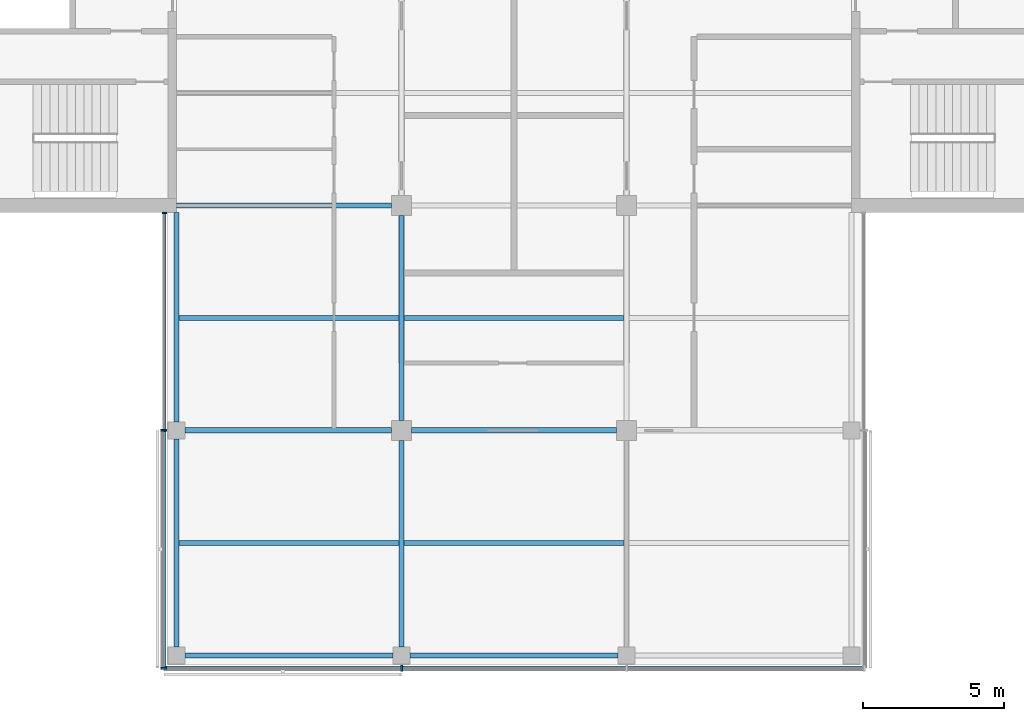
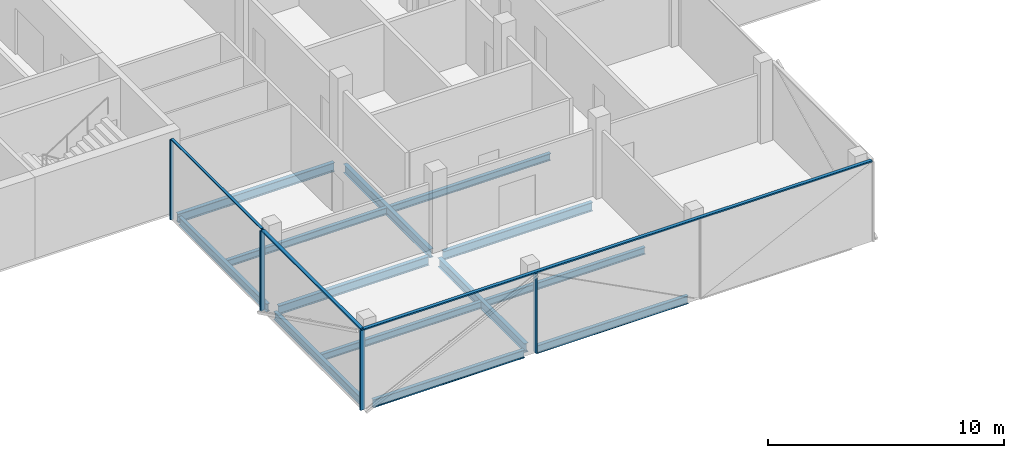
# One storey, part 2 of 16: 13 beams, 8 members, 3 elements without a shape of their own.
"""IFC4 building model written with IfcOpenShell, lengths in metres."""

from ifc_helpers import new_model, si_unit, direction, frame, origin, origin_2d, place, context, subcontext, project, spatial, rectangle, i_section, extrude, material, material_profile, profile_set, type_object, element, aggregate, save


model = new_model("IFC4")

# Units and contexts
model_context = context("Model", 3, precision=1e-05, world=origin(), true_north=direction((0.0, 1.0)))
body_context = subcontext(model_context, "Body", "Model", "MODEL_VIEW")
ifc_project = project(units=[si_unit("LENGTHUNIT", "METRE"), si_unit("AREAUNIT", "SQUARE_METRE"), si_unit("VOLUMEUNIT", "CUBIC_METRE"), si_unit("PLANEANGLEUNIT", "RADIAN"), si_unit("MASSUNIT", "GRAM", prefix="KILO")], contexts=[model_context])

# Site, building, storey
site_placement = place(None, origin())
site = spatial("IfcSite", under=ifc_project, at=site_placement, CompositionType="ELEMENT")
building_placement = place(site_placement, origin())
building = spatial("IfcBuilding", under=site, at=building_placement, Name="Crosswind Convention Tower", CompositionType="ELEMENT")
storey_placement = place(building_placement, frame((0.0, 0.0, 291.300048828125)))
storey = spatial("IfcBuildingStorey", under=building, at=storey_placement, Name="L63", CompositionType="ELEMENT", Elevation=291.300048828125)

# Beams
ifc_material_1 = material(Name="Steel S355", Category="steel")
ifc_material_profile_1 = material_profile(ifc_material_1, i_section(OverallWidth=0.177734375, OverallDepth=0.406494140625, WebThickness=0.0078125, FlangeThickness=0.0126953125, FilletRadius=0.01025390625, at=origin_2d()), Name="UB 406x178x60")
ifc_profile_set_1 = profile_set([ifc_material_profile_1], Name="Steel S355")
beam_type_1 = type_object("IfcBeamType", Name="Edge beam UB 406x178x60", PredefinedType="SPANDREL", material=ifc_profile_set_1)
beam_1_placement = place(storey_placement, frame((113.0, 72.300048828125, -0.503173828125), z_axis=(0.0, 1.0, 0.0), x_axis=(-1.0, 0.0, 0.0)))
element("IfcBeam", 1, at=beam_1_placement, inside=storey, type_object=beam_type_1, Name="B15 L63 edge beam 1", PredefinedType="SPANDREL", context=body_context, shape_type="SweptSolid", body=[
    extrude(i_section(OverallWidth=0.177734375, OverallDepth=0.406494140625, WebThickness=0.0078125, FlangeThickness=0.0126953125, FilletRadius=0.01025390625, at=origin_2d()), origin(), (0.0, 0.0, 1.0), 7.39990234375),
])
beam_2_placement = place(storey_placement, frame((113.0, 80.300048828125, -0.503173828125), z_axis=(0.0, 1.0, 0.0), x_axis=(-1.0, 0.0, 0.0)))
element("IfcBeam", 2, at=beam_2_placement, inside=storey, type_object=beam_type_1, Name="B15 L63 edge beam 2", PredefinedType="SPANDREL", context=body_context, shape_type="SweptSolid", body=[
    extrude(i_section(OverallWidth=0.177734375, OverallDepth=0.406494140625, WebThickness=0.0078125, FlangeThickness=0.0126953125, FilletRadius=0.01025390625, at=origin_2d()), origin(), (0.0, 0.0, 1.0), 7.449951171875),
])
for number, where, z_axis, x_axis, name in (
    (3, (113.300048828125, 72.0, -0.503173828125), (1.0, 0.0, 0.0), (0.0, 1.0, 0.0), "B15 L63 edge beam 5"),
    (4, (121.300048828125, 72.0, -0.503173828125), (1.0, 0.0, 0.0), (0.0, 1.0, 0.0), "B15 L63 edge beam 7"),
):
    element("IfcBeam", number, at=place(storey_placement, frame(where, z_axis=z_axis, x_axis=x_axis)), inside=storey, type_object=beam_type_1, Name=name, PredefinedType="SPANDREL", context=body_context, shape_type="SweptSolid", body=[
        extrude(i_section(OverallWidth=0.177734375, OverallDepth=0.406494140625, WebThickness=0.0078125, FlangeThickness=0.0126953125, FilletRadius=0.01025390625, at=origin_2d()), origin(), (0.0, 0.0, 1.0), 7.39990234375),
    ])
ifc_material_profile_2 = material_profile(ifc_material_1, i_section(OverallWidth=0.18994140625, OverallDepth=0.45361328125, WebThickness=0.008544921875, FlangeThickness=0.0126953125, FilletRadius=0.01025390625, at=origin_2d()), Name="UB 457x191x67")
ifc_profile_set_2 = profile_set([ifc_material_profile_2], Name="Steel S355")
beam_type_2 = type_object("IfcBeamType", Name="Girder UB 457x191x67", PredefinedType="BEAM", material=ifc_profile_set_2)
for number, where, z_axis, x_axis, name in (
    (5, (113.300048828125, 80.0, -0.52685546875), (1.0, 0.0, 0.0), (0.0, 1.0, 0.0), "B1 L63 girder 1"),
    (6, (121.0, 72.300048828125, -0.52685546875), (0.0, 1.0, 0.0), (-1.0, 0.0, 0.0), "B1 L63 girder 3"),
):
    element("IfcBeam", number, at=place(storey_placement, frame(where, z_axis=z_axis, x_axis=x_axis)), inside=storey, type_object=beam_type_2, Name=name, PredefinedType="BEAM", context=body_context, shape_type="SweptSolid", body=[
        extrude(i_section(OverallWidth=0.18994140625, OverallDepth=0.45361328125, WebThickness=0.008544921875, FlangeThickness=0.0126953125, FilletRadius=0.01025390625, at=origin_2d()), origin(), (0.0, 0.0, 1.0), 7.349853515625),
    ])
for number, where, z_axis, x_axis, name in (
    (7, (121.0, 80.35009765625, -0.52685546875), (0.0, 1.0, 0.0), (-1.0, 0.0, 0.0), "B1 L63 girder 4"),
    (8, (121.35009765625, 80.0, -0.52685546875), (1.0, 0.0, 0.0), (0.0, 1.0, 0.0), "B1 L63 girder 10"),
):
    element("IfcBeam", number, at=place(storey_placement, frame(where, z_axis=z_axis, x_axis=x_axis)), inside=storey, type_object=beam_type_2, Name=name, PredefinedType="BEAM", context=body_context, shape_type="SweptSolid", body=[
        extrude(i_section(OverallWidth=0.18994140625, OverallDepth=0.45361328125, WebThickness=0.008544921875, FlangeThickness=0.0126953125, FilletRadius=0.01025390625, at=origin_2d()), origin(), (0.0, 0.0, 1.0), 7.2998046875),
    ])
ifc_material_profile_3 = material_profile(ifc_material_1, i_section(OverallWidth=0.1904296875, OverallDepth=0.457275390625, WebThickness=0.009033203125, FlangeThickness=0.014404296875, FilletRadius=0.01025390625, at=origin_2d()), Name="UB 457x191x75")
ifc_profile_set_3 = profile_set([ifc_material_profile_3], Name="Steel S355")
beam_type_3 = type_object("IfcBeamType", Name="Girder at core wall UB 457x191x75", PredefinedType="BEAM", material=ifc_profile_set_3)
beam_3_placement = place(storey_placement, frame((113.0, 88.0, -0.528564453125), z_axis=(1.0, 0.0, 0.0), x_axis=(0.0, 1.0, 0.0)))
element("IfcBeam", 9, at=beam_3_placement, inside=storey, type_object=beam_type_3, Name="B22 L63 girder at core wall 1", PredefinedType="BEAM", context=body_context, shape_type="SweptSolid", body=[
    extrude(i_section(OverallWidth=0.1904296875, OverallDepth=0.457275390625, WebThickness=0.009033203125, FlangeThickness=0.014404296875, FilletRadius=0.01025390625, at=origin_2d()), origin(), (0.0, 0.0, 1.0), 7.64990234375),
])

# Curtain wall, members
ifc_material_2 = material(Name="Aluminium unitised curtain wall", Category="aluminium")
curtain_wall_type_1 = type_object("IfcCurtainWallType", Name="CORE END SLOT WALL 160", PredefinedType="USERDEFINED", material=ifc_material_2)
curtain_wall_1_placement = place(storey_placement, origin())
curtain_wall_1 = element("IfcCurtainWall", 10, at=curtain_wall_1_placement, inside=storey, type_object=curtain_wall_type_1, Name="CW6 L63 S-W.1-1 slot", ObjectType="UNITISED", PredefinedType="USERDEFINED")
ifc_material_3 = material(Name="Aluminium mullion", Category="aluminium")
ifc_material_profile_4 = material_profile(ifc_material_3, rectangle(XDim=0.159912109375, YDim=0.050048828125, at=origin_2d()), Name="AL 160X50")
ifc_profile_set_4 = profile_set([ifc_material_profile_4], Name="Aluminium mullion")
member_type_1 = type_object("IfcMemberType", Name="MULLION 50X160", PredefinedType="MULLION", material=ifc_profile_set_4)
member_1_placement = place(storey_placement, frame((112.570068359375, 87.72509765625, -0.300048828125), z_axis=(0.0, 0.0, 1.0), x_axis=(-1.0, 0.0, 0.0)))
member_1 = element("IfcMember", 11, at=member_1_placement, type_object=member_type_1, Name="CW6 mullion 1", PredefinedType="MULLION", context=body_context, shape_type="SweptSolid", body=[
    extrude(rectangle(XDim=0.159912109375, YDim=0.050048828125, at=origin_2d()), origin(), (0.0, 0.0, 1.0), 4.14990234375),
])
member_2_placement = place(storey_placement, frame((112.570068359375, 80.02490234375, -0.300048828125), z_axis=(0.0, 0.0, 1.0), x_axis=(-1.0, 0.0, 0.0)))
member_2 = element("IfcMember", 12, at=member_2_placement, type_object=member_type_1, Name="CW6 mullion 2", PredefinedType="MULLION", context=body_context, shape_type="SweptSolid", body=[
    extrude(rectangle(XDim=0.159912109375, YDim=0.050048828125, at=origin_2d()), origin(), (0.0, 0.0, 1.0), 4.14990234375),
])

curtain_wall_type_2 = type_object("IfcCurtainWallType", Name="OFFICE UNITISED WALL 220", PredefinedType="USERDEFINED", material=ifc_material_2)
curtain_wall_2_placement = place(storey_placement, origin())
curtain_wall_2 = element("IfcCurtainWall", 13, at=curtain_wall_2_placement, inside=storey, type_object=curtain_wall_type_2, Name="CW3 L63 S-W 1", ObjectType="UNITISED", PredefinedType="USERDEFINED")
ifc_material_profile_5 = material_profile(ifc_material_3, rectangle(XDim=0.219970703125, YDim=0.070068359375, at=origin_2d()), Name="AL 220X70")
ifc_profile_set_5 = profile_set([ifc_material_profile_5], Name="Aluminium mullion")
member_type_2 = type_object("IfcMemberType", Name="MULLION 70X220", PredefinedType="MULLION", material=ifc_profile_set_5)
member_3_placement = place(storey_placement, frame((112.5400390625, 80.0, -0.300048828125), z_axis=(0.0, 0.0, 1.0), x_axis=(-1.0, 0.0, 0.0)))
member_3 = element("IfcMember", 14, at=member_3_placement, type_object=member_type_2, Name="CW3 mullion 1", PredefinedType="MULLION", context=body_context, shape_type="SweptSolid", body=[
    extrude(rectangle(XDim=0.219970703125, YDim=0.070068359375, at=origin_2d()), origin(), (0.0, 0.0, 1.0), 4.1298828125),
])
member_4_placement = place(storey_placement, frame((112.5400390625, 71.5400390625, -0.300048828125), z_axis=(0.0, 0.0, 1.0), x_axis=(-1.0, 0.0, 0.0)))
member_4 = element("IfcMember", 15, at=member_4_placement, type_object=member_type_2, Name="CW3 mullion 2", PredefinedType="MULLION", context=body_context, shape_type="SweptSolid", body=[
    extrude(rectangle(XDim=0.219970703125, YDim=0.070068359375, at=origin_2d()), origin(), (0.0, 0.0, 1.0), 4.1298828125),
])

# Curtain wall, member
curtain_wall_3_placement = place(storey_placement, origin())
curtain_wall_3 = element("IfcCurtainWall", 16, at=curtain_wall_3_placement, inside=storey, type_object=curtain_wall_type_2, Name="CW3 L63 S-TIP 1", ObjectType="UNITISED", PredefinedType="USERDEFINED")
member_5_placement = place(storey_placement, frame((121.0, 71.5400390625, -0.300048828125), z_axis=(0.0, 0.0, 1.0), x_axis=(0.0, -1.0, 0.0)))
member_5 = element("IfcMember", 17, at=member_5_placement, type_object=member_type_2, Name="CW3 mullion 2", PredefinedType="MULLION", context=body_context, shape_type="SweptSolid", body=[
    extrude(rectangle(XDim=0.219970703125, YDim=0.070068359375, at=origin_2d()), origin(), (0.0, 0.0, 1.0), 4.1298828125),
])

# Beams
ifc_material_profile_6 = material_profile(ifc_material_1, i_section(OverallWidth=0.17138671875, OverallDepth=0.355712890625, WebThickness=0.00732421875, FlangeThickness=0.011474609375, FilletRadius=0.01025390625, at=origin_2d()), Name="UB 356x171x51")
ifc_profile_set_6 = profile_set([ifc_material_profile_6], Name="Steel S355")
beam_type_4 = type_object("IfcBeamType", Name="Secondary beam UB 356x171x51", PredefinedType="JOIST", material=ifc_profile_set_6)
for number, where, z_axis, x_axis, name in (
    (18, (113.0888671875, 76.0, -0.477783203125), (1.0, 0.0, 0.0), (0.0, 1.0, 0.0), "B8 L63 secondary beam 4"),
    (19, (113.0888671875, 84.0, -0.477783203125), (1.0, 0.0, 0.0), (0.0, 1.0, 0.0), "B8 L63 secondary beam 5"),
):
    element("IfcBeam", number, at=place(storey_placement, frame(where, z_axis=z_axis, x_axis=x_axis)), inside=storey, type_object=beam_type_4, Name=name, PredefinedType="JOIST", context=body_context, shape_type="SweptSolid", body=[
        extrude(i_section(OverallWidth=0.17138671875, OverallDepth=0.355712890625, WebThickness=0.00732421875, FlangeThickness=0.011474609375, FilletRadius=0.01025390625, at=origin_2d()), origin(), (0.0, 0.0, 1.0), 7.816162109375),
    ])
for number, where, z_axis, x_axis, name in (
    (20, (121.094970703125, 76.0, -0.477783203125), (1.0, 0.0, 0.0), (0.0, 1.0, 0.0), "B8 L63 secondary beam 8"),
    (21, (121.094970703125, 84.0, -0.477783203125), (1.0, 0.0, 0.0), (0.0, 1.0, 0.0), "B8 L63 secondary beam 9"),
):
    element("IfcBeam", number, at=place(storey_placement, frame(where, z_axis=z_axis, x_axis=x_axis)), inside=storey, type_object=beam_type_4, Name=name, PredefinedType="JOIST", context=body_context, shape_type="SweptSolid", body=[
        extrude(i_section(OverallWidth=0.17138671875, OverallDepth=0.355712890625, WebThickness=0.00732421875, FlangeThickness=0.011474609375, FilletRadius=0.01025390625, at=origin_2d()), origin(), (0.0, 0.0, 1.0), 7.81005859375),
    ])

# Member
ifc_material_4 = material(Name="Aluminium transom", Category="aluminium")
ifc_material_profile_7 = material_profile(ifc_material_4, rectangle(XDim=0.1201171875, YDim=0.050048828125, at=origin_2d()), Name="AL 120X50")
ifc_profile_set_7 = profile_set([ifc_material_profile_7], Name="Aluminium transom")
member_type_3 = type_object("IfcMemberType", Name="TRANSOM 50X120", PredefinedType="USERDEFINED", material=ifc_profile_set_7)
member_6_placement = place(storey_placement, frame((112.570068359375, 87.699951171875, 3.875), z_axis=(0.0, -1.0, 0.0), x_axis=(1.0, 0.0, 0.0)))
member_6 = element("IfcMember", 22, at=member_6_placement, type_object=member_type_3, Name="CW6 transom", ObjectType="TRANSOM", PredefinedType="USERDEFINED", context=body_context, shape_type="SweptSolid", body=[
    extrude(rectangle(XDim=0.1201171875, YDim=0.050048828125, at=origin_2d()), origin(), (0.0, 0.0, 1.0), 7.64990234375),
])

aggregate(curtain_wall_1, [member_1, member_2, member_6])

ifc_material_profile_8 = material_profile(ifc_material_4, rectangle(XDim=0.159912109375, YDim=0.070068359375, at=origin_2d()), Name="AL 160X70")
ifc_profile_set_8 = profile_set([ifc_material_profile_8], Name="Aluminium transom")
member_type_4 = type_object("IfcMemberType", Name="TRANSOM 70X160", PredefinedType="USERDEFINED", material=ifc_profile_set_8)
member_7_placement = place(storey_placement, frame((112.5400390625, 79.965087890625, 3.864990234375), z_axis=(0.0, -1.0, 0.0), x_axis=(1.0, 0.0, 0.0)))
member_7 = element("IfcMember", 23, at=member_7_placement, type_object=member_type_4, Name="CW3 transom", ObjectType="TRANSOM", PredefinedType="USERDEFINED", context=body_context, shape_type="SweptSolid", body=[
    extrude(rectangle(XDim=0.159912109375, YDim=0.070068359375, at=origin_2d()), origin(), (0.0, 0.0, 1.0), 8.39013671875),
])

aggregate(curtain_wall_2, [member_3, member_4, member_7])

member_8_placement = place(storey_placement, frame((112.574951171875, 71.5400390625, 3.864990234375), z_axis=(1.0, 0.0, 0.0), x_axis=(0.0, 1.0, 0.0)))
member_8 = element("IfcMember", 24, at=member_8_placement, type_object=member_type_4, Name="CW3 transom", ObjectType="TRANSOM", PredefinedType="USERDEFINED", context=body_context, shape_type="SweptSolid", body=[
    extrude(rectangle(XDim=0.159912109375, YDim=0.070068359375, at=origin_2d()), origin(), (0.0, 0.0, 1.0), 24.85009765625),
])

aggregate(curtain_wall_3, [member_5, member_8])

save(model, "model.ifc")
